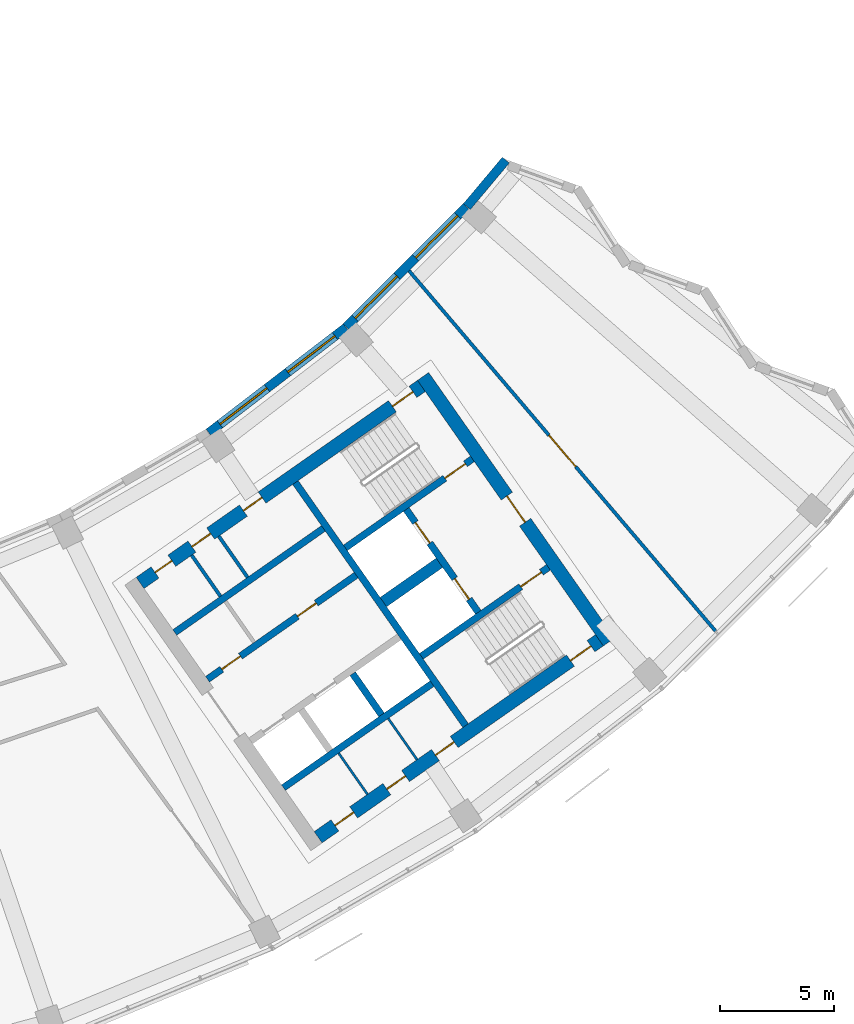
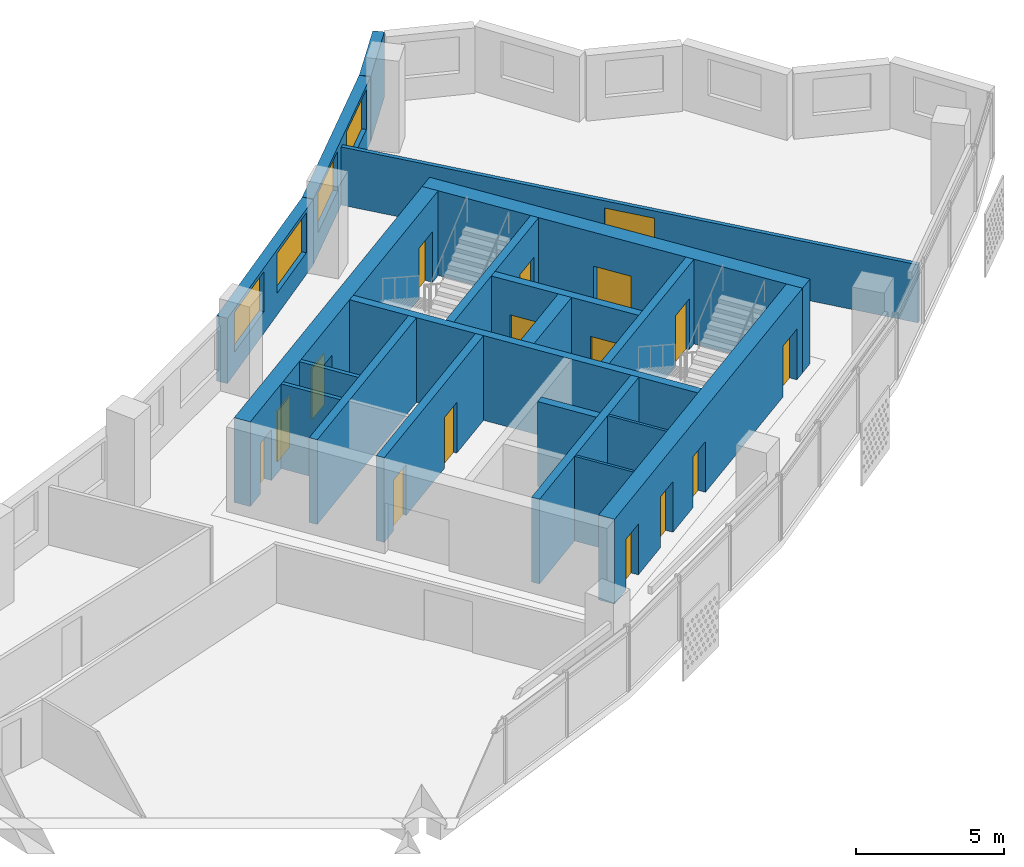
# One storey, part 7 of 28: 20 walls, 16 doors, 4 windows, 20 openings.
"""IFC4 building model written with IfcOpenShell, lengths in metres."""

from ifc_helpers import new_model, si_unit, direction, frame, frame_2d, origin, place, context, subcontext, project, spatial, rectangle, extrude, material, layer, layer_set, type_object, element, fill, save


model = new_model("IFC4")

# Units and contexts
model_context = context("Model", 3, precision=1e-05, world=origin(), true_north=direction((0.0, 1.0)))
body_context = subcontext(model_context, "Body", "Model", "MODEL_VIEW")
ifc_project = project(units=[si_unit("LENGTHUNIT", "METRE"), si_unit("AREAUNIT", "SQUARE_METRE"), si_unit("VOLUMEUNIT", "CUBIC_METRE"), si_unit("PLANEANGLEUNIT", "RADIAN"), si_unit("MASSUNIT", "GRAM", prefix="KILO")], contexts=[model_context])

# Site, building, storey
site_placement = place(None, origin())
site = spatial("IfcSite", under=ifc_project, at=site_placement, CompositionType="ELEMENT")
building_placement = place(site_placement, origin())
building = spatial("IfcBuilding", under=site, at=building_placement, Name="Qamariyya Broadcast Tower", CompositionType="ELEMENT")
storey_placement = place(building_placement, frame((0.0, 0.0, 245.5)))
storey = spatial("IfcBuildingStorey", under=building, at=storey_placement, Name="L59", CompositionType="ELEMENT", Elevation=245.5)

# Wall, opening, door
ifc_material_1 = material(Name="Concrete C60/75", Category="concrete")
ifc_layer_1 = layer(ifc_material_1, 0.60009765625)
ifc_layer_set_1 = layer_set([ifc_layer_1], Name="Core wall 600 mm Concrete C60/75")
wall_type_1 = type_object("IfcWallType", Name="Core wall 600 mm Concrete C60/75", PredefinedType="SHEAR", material=ifc_layer_set_1)
wall_1_placement = place(storey_placement, frame((49.4833984375, -57.031494140625, 0.0), z_axis=(0.0, 0.0, 1.0), x_axis=(-0.573560421458, 0.819163257805, 0.0)))
wall_1 = element("IfcWall", 1, at=wall_1_placement, inside=storey, type_object=wall_type_1, Name="k-E-L59-WH", PredefinedType="SHEAR", context=body_context, shape_type="SweptSolid", body=[
    extrude(rectangle(XDim=14.199951171875, YDim=0.60009765625, at=frame_2d((7.10009765625, 0.0))), origin(), (0.0, 0.0, 1.0), 3.5),
])
opening_1_placement = place(wall_1_placement, frame((6.39990234375, 0.0, 0.0)))
opening_1 = element("IfcOpeningElement", 2, at=opening_1_placement, cuts=wall_1, Name="Opening KD2-E1", PredefinedType="OPENING", context=body_context, shape_type="SweptSolid", body=[
    extrude(rectangle(XDim=1.39990234375, YDim=2.10009765625, at=frame_2d((0.699951171875, 1.050048828125))), frame((0.0, 0.31005859375, 0.0), z_axis=(0.0, -1.0, 0.0), x_axis=(1.0, 0.0, 0.0)), (0.0, 0.0, 1.0), 0.6201171875),
])
ifc_material_2 = material(Name="Steel fire-resisting door leaf", Category="steel")
door_type_1 = type_object("IfcDoorType", Name="Fire-fighting lobby door KD2", OperationType="DOUBLE_DOOR_SINGLE_SWING", PredefinedType="DOOR", material=ifc_material_2)
door_1_placement = place(opening_1_placement, origin())
door_1 = element("IfcDoor", 3, at=door_1_placement, inside=storey, type_object=door_type_1, Name="k-E-L59-WH-D14", OperationType="DOUBLE_DOOR_SINGLE_SWING", OverallHeight=2.10009765625, OverallWidth=1.39990234375, PredefinedType="DOOR", context=body_context, shape_type="SweptSolid", body=[
    extrude(rectangle(XDim=1.39990234375, YDim=2.10009765625, at=frame_2d((0.699951171875, 1.050048828125))), frame((0.0, 0.02490234375, 0.0), z_axis=(0.0, -1.0, 0.0), x_axis=(1.0, 0.0, 0.0)), (0.0, 0.0, 1.0), 0.050048828125),
])
fill(opening_1, door_1)

# Wall, openings, doors
wall_2_placement = place(storey_placement, frame((28.940673828125, -54.447021484375, 0.0), z_axis=(0.0, 0.0, 1.0), x_axis=(0.819153391756, 0.573574511963, 0.0)))
wall_2 = element("IfcWall", 4, at=wall_2_placement, inside=storey, type_object=wall_type_1, Name="k-E-L59-WI", PredefinedType="SHEAR", context=body_context, shape_type="SweptSolid", body=[
    extrude(rectangle(XDim=15.04541015625, YDim=0.60009765625, at=frame_2d((7.522705078125, 0.0))), origin(), (0.0, 0.0, 1.0), 3.5),
])
opening_2_placement = place(wall_2_placement, frame((0.800048828125, 0.0, 0.0)))
opening_2 = element("IfcOpeningElement", 5, at=opening_2_placement, cuts=wall_2, Name="Opening KD5-E1", PredefinedType="OPENING", context=body_context, shape_type="SweptSolid", body=[
    extrude(rectangle(XDim=0.89990234375, YDim=2.10009765625, at=frame_2d((0.449951171875, 1.050048828125))), frame((0.0, 0.31005859375, 0.0), z_axis=(0.0, -1.0, 0.0), x_axis=(1.0, 0.0, 0.0)), (0.0, 0.0, 1.0), 0.6201171875),
])
opening_3_placement = place(wall_2_placement, frame((2.77490234375, 0.0, 0.0)))
opening_3 = element("IfcOpeningElement", 6, at=opening_3_placement, cuts=wall_2, Name="Opening KD7-E1", PredefinedType="OPENING", context=body_context, shape_type="SweptSolid", body=[
    extrude(rectangle(XDim=1.0, YDim=2.10009765625, at=frame_2d((0.5, 1.050048828125))), frame((0.0, 0.31005859375, 0.0), z_axis=(0.0, -1.0, 0.0), x_axis=(1.0, 0.0, 0.0)), (0.0, 0.0, 1.0), 0.6201171875),
])
opening_4_placement = place(wall_2_placement, frame((5.52490234375, 0.0, 0.0)))
opening_4 = element("IfcOpeningElement", 7, at=opening_4_placement, cuts=wall_2, Name="Opening KD6-E3", PredefinedType="OPENING", context=body_context, shape_type="SweptSolid", body=[
    extrude(rectangle(XDim=1.0, YDim=2.10009765625, at=frame_2d((0.5, 1.050048828125))), frame((0.0, 0.31005859375, 0.0), z_axis=(0.0, -1.0, 0.0), x_axis=(1.0, 0.0, 0.0)), (0.0, 0.0, 1.0), 0.6201171875),
])
opening_5_placement = place(wall_2_placement, frame((13.495361328125, 0.0, 0.0)))
opening_5 = element("IfcOpeningElement", 8, at=opening_5_placement, cuts=wall_2, Name="Opening KD1-E1", PredefinedType="OPENING", context=body_context, shape_type="SweptSolid", body=[
    extrude(rectangle(XDim=1.10009765625, YDim=2.10009765625, at=frame_2d((0.550048828125, 1.050048828125))), frame((0.0, 0.31005859375, 0.0), z_axis=(0.0, -1.0, 0.0), x_axis=(1.0, 0.0, 0.0)), (0.0, 0.0, 1.0), 0.6201171875),
])
door_type_2 = type_object("IfcDoorType", Name="Accessible toilet door KD7", OperationType="SINGLE_SWING_LEFT", PredefinedType="DOOR", material=ifc_material_2)
door_2_placement = place(opening_3_placement, origin())
door_2 = element("IfcDoor", 9, at=door_2_placement, inside=storey, type_object=door_type_2, Name="k-E-L59-WI-D7", OperationType="SINGLE_SWING_LEFT", OverallHeight=2.10009765625, OverallWidth=1.0, PredefinedType="DOOR", context=body_context, shape_type="SweptSolid", body=[
    extrude(rectangle(XDim=1.0, YDim=2.10009765625, at=frame_2d((0.5, 1.050048828125))), frame((0.0, 0.02490234375, 0.0), z_axis=(0.0, -1.0, 0.0), x_axis=(1.0, 0.0, 0.0)), (0.0, 0.0, 1.0), 0.050048828125),
])
fill(opening_3, door_2)
door_type_3 = type_object("IfcDoorType", Name="Core room door KD6", OperationType="SINGLE_SWING_LEFT", PredefinedType="DOOR", material=ifc_material_2)
door_3_placement = place(opening_4_placement, origin())
door_3 = element("IfcDoor", 10, at=door_3_placement, inside=storey, type_object=door_type_3, Name="k-E-L59-WI-D8", OperationType="SINGLE_SWING_RIGHT", OverallHeight=2.10009765625, OverallWidth=1.0, PredefinedType="DOOR", context=body_context, shape_type="SweptSolid", body=[
    extrude(rectangle(XDim=1.0, YDim=2.10009765625, at=frame_2d((0.5, 1.050048828125))), frame((0.0, 0.02490234375, 0.0), z_axis=(0.0, -1.0, 0.0), x_axis=(1.0, 0.0, 0.0)), (0.0, 0.0, 1.0), 0.050048828125),
])
fill(opening_4, door_3)
door_type_4 = type_object("IfcDoorType", Name="Stair door KD1", OperationType="SINGLE_SWING_LEFT", PredefinedType="DOOR", material=ifc_material_2)
door_4_placement = place(opening_5_placement, origin())
door_4 = element("IfcDoor", 11, at=door_4_placement, inside=storey, type_object=door_type_4, Name="k-E-L59-WI-D15", OperationType="SINGLE_SWING_RIGHT", OverallHeight=2.10009765625, OverallWidth=1.10009765625, PredefinedType="DOOR", context=body_context, shape_type="SweptSolid", body=[
    extrude(rectangle(XDim=1.10009765625, YDim=2.10009765625, at=frame_2d((0.550048828125, 1.050048828125))), frame((0.0, 0.02490234375, 0.0), z_axis=(0.0, -1.0, 0.0), x_axis=(1.0, 0.0, 0.0)), (0.0, 0.0, 1.0), 0.050048828125),
])
fill(opening_5, door_4)
door_type_5 = type_object("IfcDoorType", Name="Toilet door KD5", OperationType="SINGLE_SWING_LEFT", PredefinedType="DOOR", material=ifc_material_2)
door_5_placement = place(opening_2_placement, origin())
door_5 = element("IfcDoor", 12, at=door_5_placement, inside=storey, type_object=door_type_5, Name="k-E-L59-WI-D6", OperationType="SINGLE_SWING_RIGHT", OverallHeight=2.10009765625, OverallWidth=0.89990234375, PredefinedType="DOOR", context=body_context, shape_type="SweptSolid", body=[
    extrude(rectangle(XDim=0.89990234375, YDim=2.10009765625, at=frame_2d((0.449951171875, 1.050048828125))), frame((0.0, 0.02490234375, 0.0), z_axis=(0.0, -1.0, 0.0), x_axis=(1.0, 0.0, 0.0)), (0.0, 0.0, 1.0), 0.050048828125),
])
fill(opening_2, door_5)

wall_3_placement = place(storey_placement, frame((36.7412109375, -65.58740234375, 0.0), z_axis=(0.0, 0.0, 1.0), x_axis=(0.819153391756, 0.573574511963, 0.0)))
wall_3 = element("IfcWall", 13, at=wall_3_placement, inside=storey, type_object=wall_type_1, Name="k-E-L59-WO", PredefinedType="SHEAR", context=body_context, shape_type="SweptSolid", body=[
    extrude(rectangle(XDim=15.04541015625, YDim=0.60009765625, at=frame_2d((7.522705078125, 0.0))), origin(), (0.0, 0.0, 1.0), 3.5),
])
opening_6_placement = place(wall_3_placement, frame((0.89990234375, 0.0, 0.0)))
opening_6 = element("IfcOpeningElement", 14, at=opening_6_placement, cuts=wall_3, Name="Opening KD4-E1", PredefinedType="OPENING", context=body_context, shape_type="SweptSolid", body=[
    extrude(rectangle(XDim=1.0, YDim=2.10009765625, at=frame_2d((0.5, 1.050048828125))), frame((0.0, 0.31005859375, 0.0), z_axis=(0.0, -1.0, 0.0), x_axis=(1.0, 0.0, 0.0)), (0.0, 0.0, 1.0), 0.6201171875),
])
opening_7_placement = place(wall_3_placement, frame((3.675048828125, 0.0, 0.0)))
opening_7 = element("IfcOpeningElement", 15, at=opening_7_placement, cuts=wall_3, Name="Opening KD4-E2", PredefinedType="OPENING", context=body_context, shape_type="SweptSolid", body=[
    extrude(rectangle(XDim=1.0, YDim=2.10009765625, at=frame_2d((0.5, 1.050048828125))), frame((0.0, 0.31005859375, 0.0), z_axis=(0.0, -1.0, 0.0), x_axis=(1.0, 0.0, 0.0)), (0.0, 0.0, 1.0), 0.6201171875),
])
opening_8_placement = place(wall_3_placement, frame((6.27490234375, 0.0, 0.0)))
opening_8 = element("IfcOpeningElement", 16, at=opening_8_placement, cuts=wall_3, Name="Opening KD4-E3", PredefinedType="OPENING", context=body_context, shape_type="SweptSolid", body=[
    extrude(rectangle(XDim=1.0, YDim=2.10009765625, at=frame_2d((0.5, 1.050048828125))), frame((0.0, 0.31005859375, 0.0), z_axis=(0.0, -1.0, 0.0), x_axis=(1.0, 0.0, 0.0)), (0.0, 0.0, 1.0), 0.6201171875),
])
opening_9_placement = place(wall_3_placement, frame((13.495361328125, 0.0, 0.0)))
opening_9 = element("IfcOpeningElement", 17, at=opening_9_placement, cuts=wall_3, Name="Opening KD1-E3", PredefinedType="OPENING", context=body_context, shape_type="SweptSolid", body=[
    extrude(rectangle(XDim=1.10009765625, YDim=2.10009765625, at=frame_2d((0.550048828125, 1.050048828125))), frame((0.0, 0.31005859375, 0.0), z_axis=(0.0, -1.0, 0.0), x_axis=(1.0, 0.0, 0.0)), (0.0, 0.0, 1.0), 0.6201171875),
])
door_type_6 = type_object("IfcDoorType", Name="Riser and plant door KD4", OperationType="SINGLE_SWING_LEFT", PredefinedType="DOOR", material=ifc_material_2)
door_6_placement = place(opening_6_placement, origin())
door_6 = element("IfcDoor", 18, at=door_6_placement, inside=storey, type_object=door_type_6, Name="k-E-L59-WO-D9", OperationType="SINGLE_SWING_LEFT", OverallHeight=2.10009765625, OverallWidth=1.0, PredefinedType="DOOR", context=body_context, shape_type="SweptSolid", body=[
    extrude(rectangle(XDim=1.0, YDim=2.10009765625, at=frame_2d((0.5, 1.050048828125))), frame((0.0, 0.02490234375, 0.0), z_axis=(0.0, -1.0, 0.0), x_axis=(1.0, 0.0, 0.0)), (0.0, 0.0, 1.0), 0.050048828125),
])
fill(opening_6, door_6)
door_7_placement = place(opening_7_placement, origin())
door_7 = element("IfcDoor", 19, at=door_7_placement, inside=storey, type_object=door_type_6, Name="k-E-L59-WO-D10", OperationType="SINGLE_SWING_RIGHT", OverallHeight=2.10009765625, OverallWidth=1.0, PredefinedType="DOOR", context=body_context, shape_type="SweptSolid", body=[
    extrude(rectangle(XDim=1.0, YDim=2.10009765625, at=frame_2d((0.5, 1.050048828125))), frame((0.0, 0.02490234375, 0.0), z_axis=(0.0, -1.0, 0.0), x_axis=(1.0, 0.0, 0.0)), (0.0, 0.0, 1.0), 0.050048828125),
])
fill(opening_7, door_7)
door_8_placement = place(opening_8_placement, origin())
door_8 = element("IfcDoor", 20, at=door_8_placement, inside=storey, type_object=door_type_6, Name="k-E-L59-WO-D11", OperationType="SINGLE_SWING_LEFT", OverallHeight=2.10009765625, OverallWidth=1.0, PredefinedType="DOOR", context=body_context, shape_type="SweptSolid", body=[
    extrude(rectangle(XDim=1.0, YDim=2.10009765625, at=frame_2d((0.5, 1.050048828125))), frame((0.0, 0.02490234375, 0.0), z_axis=(0.0, -1.0, 0.0), x_axis=(1.0, 0.0, 0.0)), (0.0, 0.0, 1.0), 0.050048828125),
])
fill(opening_8, door_8)
door_9_placement = place(opening_9_placement, origin())
door_9 = element("IfcDoor", 21, at=door_9_placement, inside=storey, type_object=door_type_4, Name="k-E-L59-WO-D17", OperationType="SINGLE_SWING_LEFT", OverallHeight=2.10009765625, OverallWidth=1.10009765625, PredefinedType="DOOR", context=body_context, shape_type="SweptSolid", body=[
    extrude(rectangle(XDim=1.10009765625, YDim=2.10009765625, at=frame_2d((0.550048828125, 1.050048828125))), frame((0.0, 0.02490234375, 0.0), z_axis=(0.0, -1.0, 0.0), x_axis=(1.0, 0.0, 0.0)), (0.0, 0.0, 1.0), 0.050048828125),
])
fill(opening_9, door_9)

# Wall, opening, door
ifc_material_3 = material(Name="Gypsum board partition")
ifc_layer_2 = layer(ifc_material_3, 0.14990234375)
ifc_layer_set_2 = layer_set([ifc_layer_2], Name="Corridor partition 150 EI 60")
wall_type_2 = type_object("IfcWallType", Name="Corridor partition 150 EI 60", PredefinedType="PARTITIONING", material=ifc_layer_set_2)
wall_4_placement = place(storey_placement, frame((40.724853515625, -40.7705078125, 0.0), z_axis=(0.0, 0.0, 1.0), x_axis=(0.647962636986, -0.761672121762, 0.0)))
wall_4 = element("IfcWall", 22, at=wall_4_placement, inside=storey, type_object=wall_type_2, Name="Partition L59-032", PredefinedType="PARTITIONING", context=body_context, shape_type="SweptSolid", body=[
    extrude(rectangle(XDim=20.723388671875, YDim=0.14990234375, at=frame_2d((10.36181640625, 0.0))), origin(), (0.0, 0.0, 1.0), 2.39990234375),
])
opening_10_placement = place(wall_4_placement, frame((9.461669921875, 0.0, 0.0)))
opening_10 = element("IfcOpeningElement", 23, at=opening_10_placement, cuts=wall_4, Name="Opening L59-D16", PredefinedType="OPENING", context=body_context, shape_type="SweptSolid", body=[
    extrude(rectangle(XDim=1.800048828125, YDim=2.10009765625, at=frame_2d((0.89990234375, 1.050048828125))), frame((0.0, 0.0849609375, 0.0), z_axis=(0.0, -1.0, 0.0), x_axis=(1.0, 0.0, 0.0)), (0.0, 0.0, 1.0), 0.169921875),
])
ifc_material_4 = material(Name="Timber fire door leaf", Category="wood")
door_type_7 = type_object("IfcDoorType", Name="Double fire door 1800 x 2100 FD60", OperationType="NOTDEFINED", PredefinedType="DOOR", material=ifc_material_4)
door_10_placement = place(opening_10_placement, origin())
door_10 = element("IfcDoor", 24, at=door_10_placement, inside=storey, type_object=door_type_7, Name="Door L59-D16", OperationType="DOUBLE_DOOR_SINGLE_SWING", OverallHeight=2.10009765625, OverallWidth=1.800048828125, PredefinedType="DOOR", context=body_context, shape_type="SweptSolid", body=[
    extrude(rectangle(XDim=1.800048828125, YDim=2.10009765625, at=frame_2d((0.89990234375, 1.050048828125))), frame((0.0, 0.02490234375, 0.0), z_axis=(0.0, -1.0, 0.0), x_axis=(1.0, 0.0, 0.0)), (0.0, 0.0, 1.0), 0.050048828125),
])
fill(opening_10, door_10)

# Walls
ifc_layer_3 = layer(ifc_material_1, 0.5)
ifc_layer_set_3 = layer_set([ifc_layer_3], Name="Fire-fighting lobby divider wall 500 mm Concrete C60/75")
wall_type_3 = type_object("IfcWallType", Name="Fire-fighting lobby divider wall 500 mm Concrete C60/75", PredefinedType="SOLIDWALL", material=ifc_layer_set_3)
wall_5_placement = place(storey_placement, frame((39.59912109375, -55.28515625, 0.0), z_axis=(0.0, 0.0, 1.0), x_axis=(0.819136323161, 0.573598887793, 0.0)))
element("IfcWall", 25, at=wall_5_placement, inside=storey, type_object=wall_type_3, Name="k-E-L59-FD", PredefinedType="SOLIDWALL", context=body_context, shape_type="SweptSolid", body=[
    extrude(rectangle(XDim=2.999755859375, YDim=0.5, at=frame_2d((1.5, 0.0))), origin(), (0.0, 0.0, 1.0), 3.5),
])
ifc_material_5 = material(Name="Gypsum board partition on steel studs", Category="steel")
ifc_layer_4 = layer(ifc_material_5, 0.14990234375)
ifc_layer_set_4 = layer_set([ifc_layer_4], Name="Gypsum board partition 150 mm")
wall_type_4 = type_object("IfcWallType", Name="Gypsum board partition 150 mm", PredefinedType="PARTITIONING", material=ifc_layer_set_4)
wall_6_placement = place(storey_placement, frame((32.46337890625, -55.0322265625, 0.0), z_axis=(0.0, 0.0, 1.0), x_axis=(-0.573507030513, 0.819200638399, 0.0)))
element("IfcWall", 26, at=wall_6_placement, inside=storey, type_object=wall_type_4, Name="k-E-L59-NP255", PredefinedType="PARTITIONING", context=body_context, shape_type="SweptSolid", body=[
    extrude(rectangle(XDim=2.199951171875, YDim=0.14990234375, at=frame_2d((1.10009765625, 0.0))), origin(), (0.0, 0.0, 1.0), 3.5),
])
wall_7_placement = place(storey_placement, frame((33.651123046875, -54.200439453125, 0.0), z_axis=(0.0, 0.0, 1.0), x_axis=(-0.573559170999, 0.819164133348, 0.0)))
element("IfcWall", 27, at=wall_7_placement, inside=storey, type_object=wall_type_4, Name="k-E-L59-NP400", PredefinedType="PARTITIONING", context=body_context, shape_type="SweptSolid", body=[
    extrude(rectangle(XDim=2.19970703125, YDim=0.14990234375, at=frame_2d((1.099853515625, 0.0))), origin(), (0.0, 0.0, 1.0), 3.5),
])
ifc_layer_5 = layer(ifc_material_1, 0.300048828125)
ifc_layer_set_5 = layer_set([ifc_layer_5], Name="Lift shaft wall 300 mm Concrete C60/75")
wall_type_5 = type_object("IfcWallType", Name="Lift shaft wall 300 mm Concrete C60/75", PredefinedType="SOLIDWALL", material=ifc_layer_set_5)
wall_8_placement = place(storey_placement, frame((43.204345703125, -60.69580078125, 0.0), z_axis=(0.0, 0.0, 1.0), x_axis=(-0.573571992966, 0.819155155563, 0.0)))
element("IfcWall", 28, at=wall_8_placement, inside=storey, type_object=wall_type_5, Name="k-E-L59-WL", PredefinedType="SOLIDWALL", context=body_context, shape_type="SweptSolid", body=[
    extrude(rectangle(XDim=13.000244140625, YDim=0.300048828125, at=frame_2d((6.5, 0.0))), origin(), (0.0, 0.0, 1.0), 3.5),
])

# Wall, openings, doors
wall_9_placement = place(storey_placement, frame((31.89453125, -58.66552734375, 0.0), z_axis=(0.0, 0.0, 1.0), x_axis=(0.819166993208, 0.573555086491, 0.0)))
wall_9 = element("IfcWall", 29, at=wall_9_placement, inside=storey, type_object=wall_type_5, Name="k-E-L59-NF0", PredefinedType="SOLIDWALL", context=body_context, shape_type="SweptSolid", body=[
    extrude(rectangle(XDim=7.9501953125, YDim=0.300048828125, at=frame_2d((3.97509765625, 0.0))), origin(), (0.0, 0.0, 1.0), 3.5),
])
opening_11_placement = place(wall_9_placement, frame((0.762451171875, 0.0, 0.0)))
opening_11 = element("IfcOpeningElement", 30, at=opening_11_placement, cuts=wall_9, Name="Opening KD6-E1", PredefinedType="OPENING", context=body_context, shape_type="SweptSolid", body=[
    extrude(rectangle(XDim=1.0, YDim=2.10009765625, at=frame_2d((0.5, 1.050048828125))), frame((0.0, 0.159912109375, 0.0), z_axis=(0.0, -1.0, 0.0), x_axis=(1.0, 0.0, 0.0)), (0.0, 0.0, 1.0), 0.320068359375),
])
opening_12_placement = place(wall_9_placement, frame((4.8125, 0.0, 0.0)))
opening_12 = element("IfcOpeningElement", 31, at=opening_12_placement, cuts=wall_9, Name="Opening KD6-E2", PredefinedType="OPENING", context=body_context, shape_type="SweptSolid", body=[
    extrude(rectangle(XDim=1.0, YDim=2.10009765625, at=frame_2d((0.5, 1.050048828125))), frame((0.0, 0.159912109375, 0.0), z_axis=(0.0, -1.0, 0.0), x_axis=(1.0, 0.0, 0.0)), (0.0, 0.0, 1.0), 0.320068359375),
])
door_11_placement = place(opening_11_placement, origin())
door_11 = element("IfcDoor", 32, at=door_11_placement, inside=storey, type_object=door_type_3, Name="k-E-L59-NF0-D2", OperationType="SINGLE_SWING_RIGHT", OverallHeight=2.10009765625, OverallWidth=1.0, PredefinedType="DOOR", context=body_context, shape_type="SweptSolid", body=[
    extrude(rectangle(XDim=1.0, YDim=2.10009765625, at=frame_2d((0.5, 1.050048828125))), frame((0.0, 0.02490234375, 0.0), z_axis=(0.0, -1.0, 0.0), x_axis=(1.0, 0.0, 0.0)), (0.0, 0.0, 1.0), 0.050048828125),
])
fill(opening_11, door_11)
door_12_placement = place(opening_12_placement, origin())
door_12 = element("IfcDoor", 33, at=door_12_placement, inside=storey, type_object=door_type_3, Name="k-E-L59-NF0-D3", OperationType="SINGLE_SWING_LEFT", OverallHeight=2.10009765625, OverallWidth=1.0, PredefinedType="DOOR", context=body_context, shape_type="SweptSolid", body=[
    extrude(rectangle(XDim=1.0, YDim=2.10009765625, at=frame_2d((0.5, 1.050048828125))), frame((0.0, 0.02490234375, 0.0), z_axis=(0.0, -1.0, 0.0), x_axis=(1.0, 0.0, 0.0)), (0.0, 0.0, 1.0), 0.050048828125),
])
fill(opening_12, door_12)

# Walls
wall_10_placement = place(storey_placement, frame((30.460693359375, -56.61767578125, 0.0), z_axis=(0.0, 0.0, 1.0), x_axis=(0.819142461705, 0.573590121456, 0.0)))
element("IfcWall", 34, at=wall_10_placement, inside=storey, type_object=wall_type_5, Name="k-E-L59-NB0", PredefinedType="SOLIDWALL", context=body_context, shape_type="SweptSolid", body=[
    extrude(rectangle(XDim=7.949951171875, YDim=0.300048828125, at=frame_2d((3.97509765625, 0.0))), origin(), (0.0, 0.0, 1.0), 3.5),
])
wall_11_placement = place(storey_placement, frame((35.22119140625, -63.41650390625, 0.0), z_axis=(0.0, 0.0, 1.0), x_axis=(0.819166993208, 0.573555086491, 0.0)))
element("IfcWall", 35, at=wall_11_placement, inside=storey, type_object=wall_type_5, Name="k-E-L59-SB0", PredefinedType="SOLIDWALL", context=body_context, shape_type="SweptSolid", body=[
    extrude(rectangle(XDim=7.9501953125, YDim=0.300048828125, at=frame_2d((3.97509765625, 0.0))), origin(), (0.0, 0.0, 1.0), 3.5),
])
wall_12_placement = place(storey_placement, frame((38.255859375, -58.423095703125, 0.0), z_axis=(0.0, 0.0, 1.0), x_axis=(0.573633636671, -0.819111989218, 0.0)))
element("IfcWall", 36, at=wall_12_placement, inside=storey, type_object=wall_type_5, Name="k-E-L59-SD1", PredefinedType="SOLIDWALL", context=body_context, shape_type="SweptSolid", body=[
    extrude(rectangle(XDim=2.199951171875, YDim=0.300048828125, at=frame_2d((1.10009765625, 0.0))), origin(), (0.0, 0.0, 1.0), 3.5),
])

# Wall, opening, door
wall_13_placement = place(storey_placement, frame((37.935546875, -52.90966796875, 0.0), z_axis=(0.0, 0.0, 1.0), x_axis=(0.819147518138, 0.57358290031, 0.0)))
wall_13 = element("IfcWall", 37, at=wall_13_placement, inside=storey, type_object=wall_type_5, Name="k-E-L59-NW", PredefinedType="SOLIDWALL", context=body_context, shape_type="SweptSolid", body=[
    extrude(rectangle(XDim=6.79541015625, YDim=0.300048828125, at=frame_2d((3.397705078125, 0.0))), origin(), (0.0, 0.0, 1.0), 3.5),
])
opening_13_placement = place(wall_13_placement, frame((5.3203125, 0.0, 0.0)))
opening_13 = element("IfcOpeningElement", 38, at=opening_13_placement, cuts=wall_13, Name="Opening KD1-E2", PredefinedType="OPENING", context=body_context, shape_type="SweptSolid", body=[
    extrude(rectangle(XDim=1.10009765625, YDim=2.10009765625, at=frame_2d((0.550048828125, 1.050048828125))), frame((0.0, 0.159912109375, 0.0), z_axis=(0.0, -1.0, 0.0), x_axis=(1.0, 0.0, 0.0)), (0.0, 0.0, 1.0), 0.320068359375),
])
door_13_placement = place(opening_13_placement, origin())
door_13 = element("IfcDoor", 39, at=door_13_placement, inside=storey, type_object=door_type_4, Name="k-E-L59-NW-D16", OperationType="SINGLE_SWING_RIGHT", OverallHeight=2.10009765625, OverallWidth=1.10009765625, PredefinedType="DOOR", context=body_context, shape_type="SweptSolid", body=[
    extrude(rectangle(XDim=1.10009765625, YDim=2.10009765625, at=frame_2d((0.550048828125, 1.050048828125))), frame((0.0, 0.02490234375, 0.0), z_axis=(0.0, -1.0, 0.0), x_axis=(1.0, 0.0, 0.0)), (0.0, 0.0, 1.0), 0.050048828125),
])
fill(opening_13, door_13)

wall_14_placement = place(storey_placement, frame((41.262451171875, -57.66064453125, 0.0), z_axis=(0.0, 0.0, 1.0), x_axis=(0.819164398642, 0.573558792102, 0.0)))
wall_14 = element("IfcWall", 40, at=wall_14_placement, inside=storey, type_object=wall_type_5, Name="k-E-L59-SW", PredefinedType="SOLIDWALL", context=body_context, shape_type="SweptSolid", body=[
    extrude(rectangle(XDim=6.795166015625, YDim=0.300048828125, at=frame_2d((3.3974609375, 0.0))), origin(), (0.0, 0.0, 1.0), 3.5),
])
opening_14_placement = place(wall_14_placement, frame((5.3203125, 0.0, 0.0)))
opening_14 = element("IfcOpeningElement", 41, at=opening_14_placement, cuts=wall_14, Name="Opening KD1-E4", PredefinedType="OPENING", context=body_context, shape_type="SweptSolid", body=[
    extrude(rectangle(XDim=1.10009765625, YDim=2.10009765625, at=frame_2d((0.550048828125, 1.050048828125))), frame((0.0, 0.159912109375, 0.0), z_axis=(0.0, -1.0, 0.0), x_axis=(1.0, 0.0, 0.0)), (0.0, 0.0, 1.0), 0.320068359375),
])
door_14_placement = place(opening_14_placement, origin())
door_14 = element("IfcDoor", 42, at=door_14_placement, inside=storey, type_object=door_type_4, Name="k-E-L59-SW-D18", OperationType="SINGLE_SWING_RIGHT", OverallHeight=2.10009765625, OverallWidth=1.10009765625, PredefinedType="DOOR", context=body_context, shape_type="SweptSolid", body=[
    extrude(rectangle(XDim=1.10009765625, YDim=2.10009765625, at=frame_2d((0.550048828125, 1.050048828125))), frame((0.0, 0.02490234375, 0.0), z_axis=(0.0, -1.0, 0.0), x_axis=(1.0, 0.0, 0.0)), (0.0, 0.0, 1.0), 0.050048828125),
])
fill(opening_14, door_14)

# Wall, openings, doors
wall_15_placement = place(storey_placement, frame((43.756591796875, -55.731201171875, 0.0), z_axis=(0.0, 0.0, 1.0), x_axis=(-0.573536818435, 0.819179783625, 0.0)))
wall_15 = element("IfcWall", 43, at=wall_15_placement, inside=storey, type_object=wall_type_5, Name="k-E-L59-FF", PredefinedType="SOLIDWALL", context=body_context, shape_type="SweptSolid", body=[
    extrude(rectangle(XDim=5.500244140625, YDim=0.300048828125, at=frame_2d((2.75, 0.0))), origin(), (0.0, 0.0, 1.0), 3.5),
])
opening_15_placement = place(wall_15_placement, frame((0.699951171875, 0.0, 0.0)))
opening_15 = element("IfcOpeningElement", 44, at=opening_15_placement, cuts=wall_15, Name="Opening LD", PredefinedType="OPENING", context=body_context, shape_type="SweptSolid", body=[
    extrude(rectangle(XDim=1.10009765625, YDim=2.10009765625, at=frame_2d((0.550048828125, 1.050048828125))), frame((0.0, 0.159912109375, 0.0), z_axis=(0.0, -1.0, 0.0), x_axis=(1.0, 0.0, 0.0)), (0.0, 0.0, 1.0), 0.320068359375),
])
opening_16_placement = place(wall_15_placement, frame((3.699951171875, 0.0, 0.0)))
opening_16 = element("IfcOpeningElement", 45, at=opening_16_placement, cuts=wall_15, Name="Opening LD", PredefinedType="OPENING", context=body_context, shape_type="SweptSolid", body=[
    extrude(rectangle(XDim=1.10009765625, YDim=2.10009765625, at=frame_2d((0.550048828125, 1.050048828125))), frame((0.0, 0.159912109375, 0.0), z_axis=(0.0, -1.0, 0.0), x_axis=(1.0, 0.0, 0.0)), (0.0, 0.0, 1.0), 0.320068359375),
])
door_type_8 = type_object("IfcDoorType", Name="Lift landing door LD", OperationType="DOUBLE_DOOR_SLIDING", PredefinedType="DOOR", material=ifc_material_2)
door_15_placement = place(opening_15_placement, origin())
door_15 = element("IfcDoor", 46, at=door_15_placement, inside=storey, type_object=door_type_8, Name="k-E-L59-FF-D12", OperationType="DOUBLE_DOOR_SLIDING", OverallHeight=2.10009765625, OverallWidth=1.10009765625, PredefinedType="DOOR", context=body_context, shape_type="SweptSolid", body=[
    extrude(rectangle(XDim=1.10009765625, YDim=2.10009765625, at=frame_2d((0.550048828125, 1.050048828125))), frame((0.0, 0.02490234375, 0.0), z_axis=(0.0, -1.0, 0.0), x_axis=(1.0, 0.0, 0.0)), (0.0, 0.0, 1.0), 0.050048828125),
])
fill(opening_15, door_15)
door_16_placement = place(opening_16_placement, origin())
door_16 = element("IfcDoor", 47, at=door_16_placement, inside=storey, type_object=door_type_8, Name="k-E-L59-FF-D13", OperationType="DOUBLE_DOOR_SLIDING", OverallHeight=2.10009765625, OverallWidth=1.10009765625, PredefinedType="DOOR", context=body_context, shape_type="SweptSolid", body=[
    extrude(rectangle(XDim=1.10009765625, YDim=2.10009765625, at=frame_2d((0.550048828125, 1.050048828125))), frame((0.0, 0.02490234375, 0.0), z_axis=(0.0, -1.0, 0.0), x_axis=(1.0, 0.0, 0.0)), (0.0, 0.0, 1.0), 0.050048828125),
])
fill(opening_16, door_16)

# Walls
ifc_material_6 = material(Name="Fire-rated gypsum shaft liner on steel studs", Category="steel")
ifc_layer_6 = layer(ifc_material_6, 0.10009765625)
ifc_layer_set_6 = layer_set([ifc_layer_6], Name="Riser wall 100 mm")
wall_type_6 = type_object("IfcWallType", Name="Riser wall 100 mm", PredefinedType="PLUMBINGWALL", material=ifc_layer_set_6)
wall_16_placement = place(storey_placement, frame((37.64208984375, -61.90478515625, 0.0), z_axis=(0.0, 0.0, 1.0), x_axis=(0.573507030513, -0.819200638399, 0.0)))
element("IfcWall", 48, at=wall_16_placement, inside=storey, type_object=wall_type_6, Name="k-E-L59-SP285", PredefinedType="PLUMBINGWALL", context=body_context, shape_type="SweptSolid", body=[
    extrude(rectangle(XDim=2.199951171875, YDim=0.10009765625, at=frame_2d((1.10009765625, 0.0))), origin(), (0.0, 0.0, 1.0), 3.5),
])
wall_17_placement = place(storey_placement, frame((39.812744140625, -60.384765625, 0.0), z_axis=(0.0, 0.0, 1.0), x_axis=(0.573581496053, -0.819148501424, 0.0)))
element("IfcWall", 49, at=wall_17_placement, inside=storey, type_object=wall_type_6, Name="k-E-L59-SP550", PredefinedType="PLUMBINGWALL", context=body_context, shape_type="SweptSolid", body=[
    extrude(rectangle(XDim=2.2001953125, YDim=0.10009765625, at=frame_2d((1.10009765625, 0.0))), origin(), (0.0, 0.0, 1.0), 3.5),
])

# Wall, openings, windows
ifc_material_7 = material(Name="Terracotta", Category="masonry")
ifc_layer_7 = layer(ifc_material_7, 0.39990234375)
ifc_layer_set_7 = layer_set([ifc_layer_7], Name="Terracotta clad wall 400")
wall_type_7 = type_object("IfcWallType", Name="Terracotta clad wall 400", PredefinedType="SOLIDWALL", material=ifc_layer_set_7)
wall_18_placement = place(storey_placement, frame((37.965576171875, -43.25341796875, 0.0), z_axis=(0.0, 0.0, 1.0), x_axis=(-0.793356365089, -0.608757486995, 0.0)))
wall_18 = element("IfcWall", 50, at=wall_18_placement, inside=storey, type_object=wall_type_7, Name="e-wl-L59-in130", PredefinedType="SOLIDWALL", context=body_context, shape_type="SweptSolid", body=[
    extrude(rectangle(XDim=7.578125, YDim=0.39990234375, at=frame_2d((3.7890625, 0.0))), origin(), (0.0, 0.0, 1.0), 2.699951171875),
])
opening_17_placement = place(wall_18_placement, frame((4.364501953125, 0.0, 0.89990234375)))
opening_17 = element("IfcOpeningElement", 51, at=opening_17_placement, cuts=wall_18, Name="Opening W1", PredefinedType="OPENING", context=body_context, shape_type="SweptSolid", body=[
    extrude(rectangle(XDim=2.60009765625, YDim=1.64990234375, at=frame_2d((1.300048828125, 0.824951171875))), frame((0.0, 0.2099609375, 0.0), z_axis=(0.0, -1.0, 0.0), x_axis=(1.0, 0.0, 0.0)), (0.0, 0.0, 1.0), 0.419921875),
])
opening_18_placement = place(wall_18_placement, frame((0.613525390625, 0.0, 0.89990234375)))
opening_18 = element("IfcOpeningElement", 52, at=opening_18_placement, cuts=wall_18, Name="Opening W1", PredefinedType="OPENING", context=body_context, shape_type="SweptSolid", body=[
    extrude(rectangle(XDim=2.60009765625, YDim=1.64990234375, at=frame_2d((1.300048828125, 0.824951171875))), frame((0.0, 0.2099609375, 0.0), z_axis=(0.0, -1.0, 0.0), x_axis=(1.0, 0.0, 0.0)), (0.0, 0.0, 1.0), 0.419921875),
])
ifc_material_8 = material(Name="Clear low-e double glazed unit in aluminium frame", Category="aluminium")
window_type = type_object("IfcWindowType", Name="Ribbon window 2600 x 1650", PartitioningType="SINGLE_PANEL", PredefinedType="WINDOW", material=ifc_material_8)
window_1_placement = place(opening_17_placement, origin())
window_1 = element("IfcWindow", 53, at=window_1_placement, inside=storey, type_object=window_type, Name="e-w-L59-in13-0", OverallHeight=1.64990234375, OverallWidth=2.60009765625, PartitioningType="SINGLE_PANEL", PredefinedType="WINDOW", context=body_context, shape_type="SweptSolid", body=[
    extrude(rectangle(XDim=2.60009765625, YDim=1.64990234375, at=frame_2d((1.300048828125, 0.824951171875))), frame((0.0, 0.030029296875, 0.0), z_axis=(0.0, -1.0, 0.0), x_axis=(1.0, 0.0, 0.0)), (0.0, 0.0, 1.0), 0.06005859375),
])
fill(opening_17, window_1)
window_2_placement = place(opening_18_placement, origin())
window_2 = element("IfcWindow", 54, at=window_2_placement, inside=storey, type_object=window_type, Name="e-w-L59-in13-1", OverallHeight=1.64990234375, OverallWidth=2.60009765625, PartitioningType="SINGLE_PANEL", PredefinedType="WINDOW", context=body_context, shape_type="SweptSolid", body=[
    extrude(rectangle(XDim=2.60009765625, YDim=1.64990234375, at=frame_2d((1.300048828125, 0.824951171875))), frame((0.0, 0.030029296875, 0.0), z_axis=(0.0, -1.0, 0.0), x_axis=(1.0, 0.0, 0.0)), (0.0, 0.0, 1.0), 0.06005859375),
])
fill(opening_18, window_2)

wall_19_placement = place(storey_placement, frame((43.24267578125, -37.9716796875, 0.0), z_axis=(0.0, 0.0, 1.0), x_axis=(-0.707106781187, -0.707106781187, 0.0)))
wall_19 = element("IfcWall", 55, at=wall_19_placement, inside=storey, type_object=wall_type_7, Name="e-wl-L59-in140", PredefinedType="SOLIDWALL", context=body_context, shape_type="SweptSolid", body=[
    extrude(rectangle(XDim=7.4404296875, YDim=0.39990234375, at=frame_2d((3.72021484375, 0.0))), origin(), (0.0, 0.0, 1.0), 2.699951171875),
])
opening_19_placement = place(wall_19_placement, frame((4.302734375, 0.0, 0.89990234375)))
opening_19 = element("IfcOpeningElement", 56, at=opening_19_placement, cuts=wall_19, Name="Opening W1", PredefinedType="OPENING", context=body_context, shape_type="SweptSolid", body=[
    extrude(rectangle(XDim=2.60009765625, YDim=1.64990234375, at=frame_2d((1.300048828125, 0.824951171875))), frame((0.0, 0.2099609375, 0.0), z_axis=(0.0, -1.0, 0.0), x_axis=(1.0, 0.0, 0.0)), (0.0, 0.0, 1.0), 0.419921875),
])
opening_20_placement = place(wall_19_placement, frame((0.5517578125, 0.0, 0.89990234375)))
opening_20 = element("IfcOpeningElement", 57, at=opening_20_placement, cuts=wall_19, Name="Opening W1", PredefinedType="OPENING", context=body_context, shape_type="SweptSolid", body=[
    extrude(rectangle(XDim=2.60009765625, YDim=1.64990234375, at=frame_2d((1.300048828125, 0.824951171875))), frame((0.0, 0.2099609375, 0.0), z_axis=(0.0, -1.0, 0.0), x_axis=(1.0, 0.0, 0.0)), (0.0, 0.0, 1.0), 0.419921875),
])
window_3_placement = place(opening_19_placement, origin())
window_3 = element("IfcWindow", 58, at=window_3_placement, inside=storey, type_object=window_type, Name="e-w-L59-in14-0", OverallHeight=1.64990234375, OverallWidth=2.60009765625, PartitioningType="SINGLE_PANEL", PredefinedType="WINDOW", context=body_context, shape_type="SweptSolid", body=[
    extrude(rectangle(XDim=2.60009765625, YDim=1.64990234375, at=frame_2d((1.300048828125, 0.824951171875))), frame((0.0, 0.030029296875, 0.0), z_axis=(0.0, -1.0, 0.0), x_axis=(1.0, 0.0, 0.0)), (0.0, 0.0, 1.0), 0.06005859375),
])
fill(opening_19, window_3)
window_4_placement = place(opening_20_placement, origin())
window_4 = element("IfcWindow", 59, at=window_4_placement, inside=storey, type_object=window_type, Name="e-w-L59-in14-1", OverallHeight=1.64990234375, OverallWidth=2.60009765625, PartitioningType="SINGLE_PANEL", PredefinedType="WINDOW", context=body_context, shape_type="SweptSolid", body=[
    extrude(rectangle(XDim=2.60009765625, YDim=1.64990234375, at=frame_2d((1.300048828125, 0.824951171875))), frame((0.0, 0.030029296875, 0.0), z_axis=(0.0, -1.0, 0.0), x_axis=(1.0, 0.0, 0.0)), (0.0, 0.0, 1.0), 0.06005859375),
])
fill(opening_20, window_4)

# Wall
wall_20_placement = place(storey_placement, frame((44.965087890625, -35.920166015625, 0.0), z_axis=(0.0, 0.0, 1.0), x_axis=(-0.642167416779, -0.766564419229, 0.0)))
element("IfcWall", 60, at=wall_20_placement, inside=storey, type_object=wall_type_7, Name="e-wl-L59-in150", PredefinedType="SOLIDWALL", context=body_context, shape_type="SweptSolid", body=[
    extrude(rectangle(XDim=2.661376953125, YDim=0.39990234375, at=frame_2d((1.33056640625, 0.0))), origin(), (0.0, 0.0, 1.0), 2.699951171875),
])

save(model, "model.ifc")
